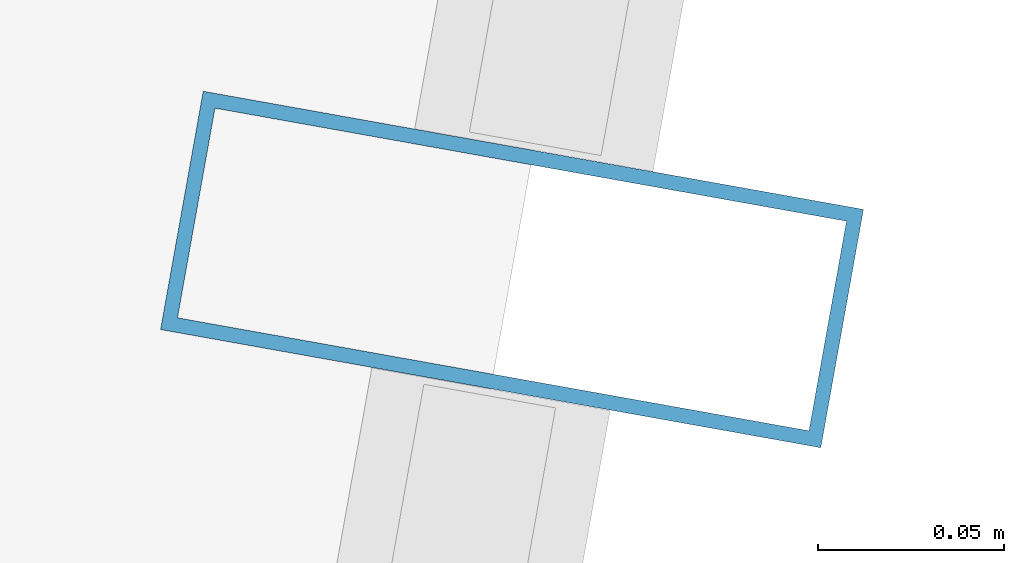
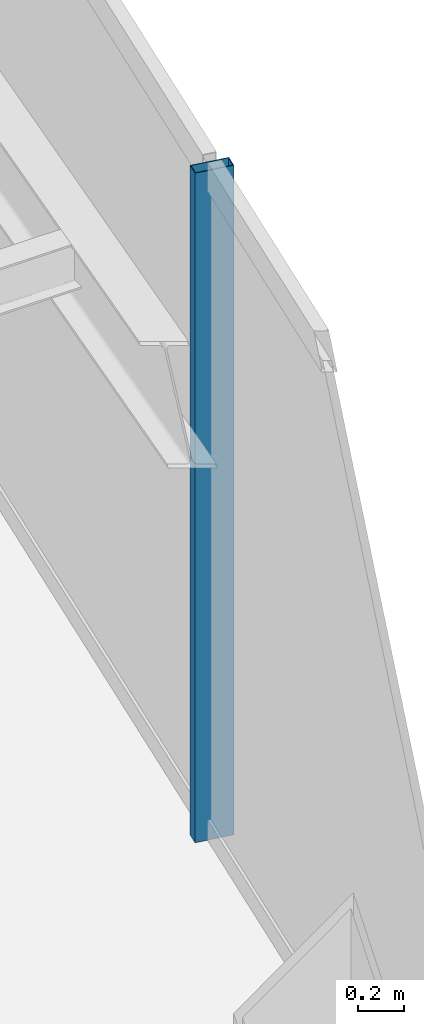
# One storey, part 17 of 32: 1 member, 1 element without a shape of its own.
"""IFC4 building model written with IfcOpenShell, lengths in metres."""

from ifc_helpers import new_model, si_unit, direction, frame, origin, origin_2d, place, context, subcontext, project, spatial, hollow_rectangle, extrude, material, material_profile, profile_set, type_object, element, aggregate, save


model = new_model("IFC4")

# Units and contexts
model_context = context("Model", 3, precision=1e-05, world=origin(), true_north=direction((0.0, 1.0)))
body_context = subcontext(model_context, "Body", "Model", "MODEL_VIEW")
ifc_project = project(units=[si_unit("LENGTHUNIT", "METRE"), si_unit("AREAUNIT", "SQUARE_METRE"), si_unit("VOLUMEUNIT", "CUBIC_METRE"), si_unit("PLANEANGLEUNIT", "RADIAN"), si_unit("MASSUNIT", "GRAM", prefix="KILO")], contexts=[model_context])

# Site, building, storey
site_placement = place(None, origin())
site = spatial("IfcSite", under=ifc_project, at=site_placement, CompositionType="ELEMENT")
building_placement = place(site_placement, origin())
building = spatial("IfcBuilding", under=site, at=building_placement, Name="Saevonmaru Cultural Tower", CompositionType="ELEMENT")
storey_placement = place(building_placement, frame((0.0, 0.0, 268.60009765625)))
storey = spatial("IfcBuildingStorey", under=building, at=storey_placement, Name="L63", CompositionType="ELEMENT", Elevation=268.60009765625)

# Curtain wall, member
ifc_material = material(Name="Satin Bronze Anodised Aluminium", Category="aluminium")
curtain_wall_type = type_object("IfcCurtainWallType", Name="CW-TYP-B", PredefinedType="NOTDEFINED", material=ifc_material)
curtain_wall_placement = place(storey_placement, origin())
curtain_wall = element("IfcCurtainWall", 1, at=curtain_wall_placement, inside=storey, type_object=curtain_wall_type, Name="L63 Unitised Curtain Wall E8", PredefinedType="NOTDEFINED")
ifc_material_profile = material_profile(ifc_material, hollow_rectangle(XDim=0.06494140625, YDim=0.179931640625, WallThickness=0.00390625, at=origin_2d()), Name="ALU-MULL-180x65x4")
ifc_profile_set = profile_set([ifc_material_profile], Name="Satin Bronze Anodised Aluminium")
member_type = type_object("IfcMemberType", Name="ML-CW-180x65", PredefinedType="MULLION", material=ifc_profile_set)
member_placement = place(storey_placement, frame((52.806396484375, 34.953125, 0.0), z_axis=(0.0, 0.0, 1.0), x_axis=(0.176140740755, 0.984364993001, 0.0)))
member = element("IfcMember", 2, at=member_placement, type_object=member_type, Name="CW-TW-L63-E8 mullion 2", PredefinedType="MULLION", context=body_context, shape_type="SweptSolid", body=[
    extrude(hollow_rectangle(XDim=0.06494140625, YDim=0.179931640625, WallThickness=0.00390625, at=origin_2d()), origin(), (0.0, 0.0, 1.0), 3.5498046875),
])
aggregate(curtain_wall, [member])

save(model, "model.ifc")
